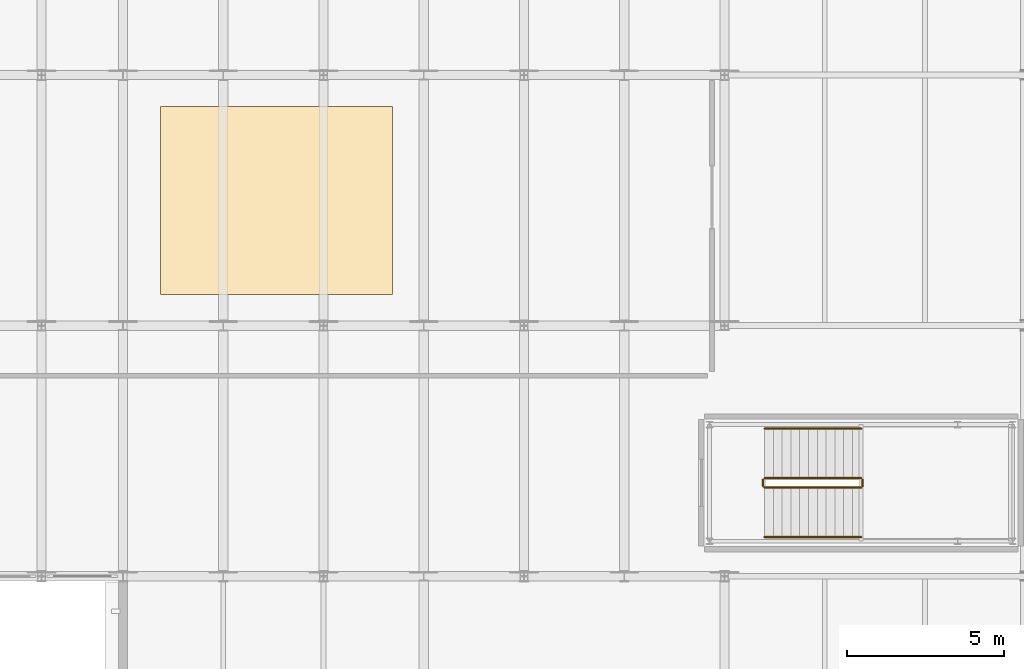
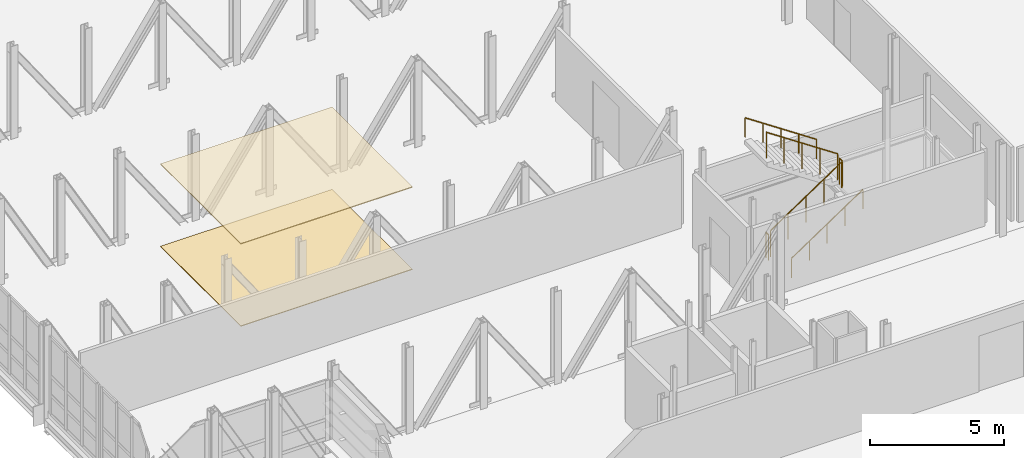
# One storey, part 67 of 73: 6 railings, 2 coverings.
"""IFC4 building model written with IfcOpenShell, lengths in metres."""

from ifc_helpers import new_model, si_unit, direction, frame, origin, origin_2d, place, context, subcontext, project, spatial, polyline, circle, outline, extrude, material, layer, layer_set, type_object, element, save


model = new_model("IFC4")

# Units and contexts
model_context = context("Model", 3, precision=1e-05, world=origin(), true_north=direction((0.0, 1.0)))
body_context = subcontext(model_context, "Body", "Model", "MODEL_VIEW")
ifc_project = project(units=[si_unit("LENGTHUNIT", "METRE"), si_unit("AREAUNIT", "SQUARE_METRE"), si_unit("VOLUMEUNIT", "CUBIC_METRE"), si_unit("PLANEANGLEUNIT", "RADIAN"), si_unit("MASSUNIT", "GRAM", prefix="KILO")], contexts=[model_context])

# Site, building, storey
site_placement = place(None, origin())
site = spatial("IfcSite", under=ifc_project, at=site_placement, CompositionType="ELEMENT")
building_placement = place(site_placement, origin())
building = spatial("IfcBuilding", under=site, at=building_placement, Name="Alderhovde Museum", CompositionType="ELEMENT")
storey_placement = place(building_placement, frame((0.0, 0.0, 12.89990234375)))
storey = spatial("IfcBuildingStorey", under=building, at=storey_placement, Name="L03", CompositionType="ELEMENT", Elevation=12.89990234375)

# Coverings
ifc_material_1 = material(Name="Perforated Gypsum Acoustic Ceiling")
ifc_layer_1 = layer(ifc_material_1, 0.0400390625)
ifc_layer_set_1 = layer_set([ifc_layer_1], Name="Perforated Gypsum Acoustic Ceiling")
covering_type_1 = type_object("IfcCoveringType", Name="COV-CEIL-ACOU", PredefinedType="CEILING", material=ifc_layer_set_1)
covering_1_placement = place(storey_placement, frame((0.0, 0.0, 3.75)))
element("IfcCovering", 1, at=covering_1_placement, inside=storey, type_object=covering_type_1, Name="L03 Acoustic Gallery Ceiling 8", PredefinedType="CEILING", context=body_context, shape_type="SweptSolid", body=[
    extrude(outline(polyline([(10.800048828125, 89.0), (18.199951171875, 89.0), (18.199951171875, 95.0), (10.800048828125, 95.0), (10.800048828125, 89.0)])), origin(), (0.0, 0.0, 1.0), 0.0400390625),
])
ifc_material_2 = material(Name="Honed Nordic Granite Terrazzo Flooring", Category="masonry")
ifc_layer_2 = layer(ifc_material_2, 0.030029296875)
ifc_layer_set_2 = layer_set([ifc_layer_2], Name="Honed Nordic Granite Terrazzo Flooring")
covering_type_2 = type_object("IfcCoveringType", Name="COV-FLR-TERRAZZO", PredefinedType="FLOORING", material=ifc_layer_set_2)
covering_2_placement = place(storey_placement, origin())
element("IfcCovering", 2, at=covering_2_placement, inside=storey, type_object=covering_type_2, Name="L03 Granite Terrazzo Flooring 8", PredefinedType="FLOORING", context=body_context, shape_type="SweptSolid", body=[
    extrude(outline(polyline([(10.800048828125, 89.0), (18.199951171875, 89.0), (18.199951171875, 95.0), (10.800048828125, 95.0), (10.800048828125, 89.0)])), origin(), (0.0, 0.0, 1.0), 0.030029296875),
])

# Railings
ifc_material_3 = material(Name="Painted Steel S355 Guardrail", Category="steel")
railing_type_1 = type_object("IfcRailingType", Name="RL-GUARD-1200", PredefinedType="GUARDRAIL", material=ifc_material_3)
railing_1_placement = place(storey_placement, frame((30.080078125, 82.830078125, 0.1875)))
element("IfcRailing", 3, at=railing_1_placement, inside=storey, type_object=railing_type_1, Name="L03 ST2 stair guard 1", PredefinedType="GUARDRAIL", context=body_context, shape_type="SweptSolid", body=[
    extrude(circle(Radius=0.02392578125, at=origin_2d()), frame((0.0, 0.0, 1.17578125), z_axis=(0.830893310487, 0.0, 0.556431762742), x_axis=(0.0, 1.0, 0.0)), (0.0, 0.0, 1.0), 3.70654296875),
    extrude(circle(Radius=0.02099609375, at=origin_2d()), origin(), (0.0, 0.0, 1.0), 1.15185546875),
    extrude(circle(Radius=0.02099609375, at=origin_2d()), frame((0.77001953125, 0.0, 0.515625)), (0.0, 0.0, 1.0), 1.15185546875),
    extrude(circle(Radius=0.02099609375, at=origin_2d()), frame((1.5400390625, 0.0, 1.03125)), (0.0, 0.0, 1.0), 1.15185546875),
    extrude(circle(Radius=0.02099609375, at=origin_2d()), frame((2.309814453125, 0.0, 1.546875)), (0.0, 0.0, 1.0), 1.15185546875),
    extrude(circle(Radius=0.02099609375, at=origin_2d()), frame((3.079833984375, 0.0, 2.0625)), (0.0, 0.0, 1.0), 1.15185546875),
])
railing_2_placement = place(storey_placement, frame((33.2099609375, 82.8798828125, 2.25)))
element("IfcRailing", 4, at=railing_2_placement, inside=storey, type_object=railing_type_1, Name="L03 ST2 stair guard 2", PredefinedType="GUARDRAIL", context=body_context, shape_type="SweptSolid", body=[
    extrude(circle(Radius=0.02392578125, at=origin_2d()), frame((0.0, 0.0, 1.17578125), z_axis=(0.0, 1.0, 0.0), x_axis=(-1.0, 0.0, 0.0)), (0.0, 0.0, 1.0), 0.2001953125),
    extrude(circle(Radius=0.02099609375, at=origin_2d()), origin(), (0.0, 0.0, 1.0), 1.15185546875),
    extrude(circle(Radius=0.02099609375, at=origin_2d()), frame((0.0, 0.2001953125, 0.0)), (0.0, 0.0, 1.0), 1.15185546875),
])
railing_3_placement = place(storey_placement, frame((33.159912109375, 83.1298828125, 2.4375)))
element("IfcRailing", 5, at=railing_3_placement, inside=storey, type_object=railing_type_1, Name="L03 ST2 stair guard 3", PredefinedType="GUARDRAIL", context=body_context, shape_type="SweptSolid", body=[
    extrude(circle(Radius=0.02392578125, at=origin_2d()), frame((0.0, 0.0, 1.17578125), z_axis=(-0.830893310487, 0.0, 0.556431762742), x_axis=(0.0, -1.0, 0.0)), (0.0, 0.0, 1.0), 3.70654296875),
    extrude(circle(Radius=0.02099609375, at=origin_2d()), origin(), (0.0, 0.0, 1.0), 1.15185546875),
    extrude(circle(Radius=0.02099609375, at=origin_2d()), frame((-0.77001953125, 0.0, 0.515625)), (0.0, 0.0, 1.0), 1.15185546875),
    extrude(circle(Radius=0.02099609375, at=origin_2d()), frame((-1.5400390625, 0.0, 1.03125)), (0.0, 0.0, 1.0), 1.15185546875),
    extrude(circle(Radius=0.02099609375, at=origin_2d()), frame((-2.309814453125, 0.0, 1.546875)), (0.0, 0.0, 1.0), 1.15185546875),
    extrude(circle(Radius=0.02099609375, at=origin_2d()), frame((-3.079833984375, 0.0, 2.0625)), (0.0, 0.0, 1.0), 1.15185546875),
])
railing_4_placement = place(storey_placement, frame((30.030029296875, 82.8798828125, 0.0)))
element("IfcRailing", 6, at=railing_4_placement, inside=storey, type_object=railing_type_1, Name="L03 ST2 stair guard 4", PredefinedType="GUARDRAIL", context=body_context, shape_type="SweptSolid", body=[
    extrude(circle(Radius=0.02392578125, at=origin_2d()), frame((0.0, 0.0, 1.17578125), z_axis=(0.0, 1.0, 0.0), x_axis=(-1.0, 0.0, 0.0)), (0.0, 0.0, 1.0), 0.2001953125),
    extrude(circle(Radius=0.02099609375, at=origin_2d()), origin(), (0.0, 0.0, 1.0), 1.15185546875),
    extrude(circle(Radius=0.02099609375, at=origin_2d()), frame((0.0, 0.2001953125, 0.0)), (0.0, 0.0, 1.0), 1.15185546875),
])
ifc_material_4 = material(Name="Brushed Stainless Steel Handrail", Category="steel")
railing_type_2 = type_object("IfcRailingType", Name="RL-HANDRAIL-900", PredefinedType="HANDRAIL", material=ifc_material_4)
railing_5_placement = place(storey_placement, frame((30.080078125, 81.25, 0.1875)))
element("IfcRailing", 7, at=railing_5_placement, inside=storey, type_object=railing_type_2, Name="L03 ST2 stair handrail 1", PredefinedType="HANDRAIL", context=body_context, shape_type="SweptSolid", body=[
    extrude(circle(Radius=0.02392578125, at=origin_2d()), frame((0.0, 0.0, 0.8759765625), z_axis=(0.830893310487, 0.0, 0.556431762742), x_axis=(0.0, 1.0, 0.0)), (0.0, 0.0, 1.0), 3.70654296875),
    extrude(circle(Radius=0.02099609375, at=origin_2d()), origin(), (0.0, 0.0, 1.0), 0.851806640625),
    extrude(circle(Radius=0.02099609375, at=origin_2d()), frame((0.77001953125, 0.0, 0.515625)), (0.0, 0.0, 1.0), 0.851806640625),
    extrude(circle(Radius=0.02099609375, at=origin_2d()), frame((1.5400390625, 0.0, 1.03125)), (0.0, 0.0, 1.0), 0.851806640625),
    extrude(circle(Radius=0.02099609375, at=origin_2d()), frame((2.309814453125, 0.0, 1.546875)), (0.0, 0.0, 1.0), 0.851806640625),
    extrude(circle(Radius=0.02099609375, at=origin_2d()), frame((3.079833984375, 0.0, 2.0625)), (0.0, 0.0, 1.0), 0.851806640625),
])
railing_6_placement = place(storey_placement, frame((33.159912109375, 84.7099609375, 2.4375)))
element("IfcRailing", 8, at=railing_6_placement, inside=storey, type_object=railing_type_2, Name="L03 ST2 stair handrail 2", PredefinedType="HANDRAIL", context=body_context, shape_type="SweptSolid", body=[
    extrude(circle(Radius=0.02392578125, at=origin_2d()), frame((0.0, 0.0, 0.8759765625), z_axis=(-0.830893310487, 0.0, 0.556431762742), x_axis=(0.0, -1.0, 0.0)), (0.0, 0.0, 1.0), 3.70654296875),
    extrude(circle(Radius=0.02099609375, at=origin_2d()), origin(), (0.0, 0.0, 1.0), 0.851806640625),
    extrude(circle(Radius=0.02099609375, at=origin_2d()), frame((-0.77001953125, 0.0, 0.515625)), (0.0, 0.0, 1.0), 0.851806640625),
    extrude(circle(Radius=0.02099609375, at=origin_2d()), frame((-1.5400390625, 0.0, 1.03125)), (0.0, 0.0, 1.0), 0.851806640625),
    extrude(circle(Radius=0.02099609375, at=origin_2d()), frame((-2.309814453125, 0.0, 1.546875)), (0.0, 0.0, 1.0), 0.851806640625),
    extrude(circle(Radius=0.02099609375, at=origin_2d()), frame((-3.079833984375, 0.0, 2.0625)), (0.0, 0.0, 1.0), 0.851806640625),
])

save(model, "model.ifc")
